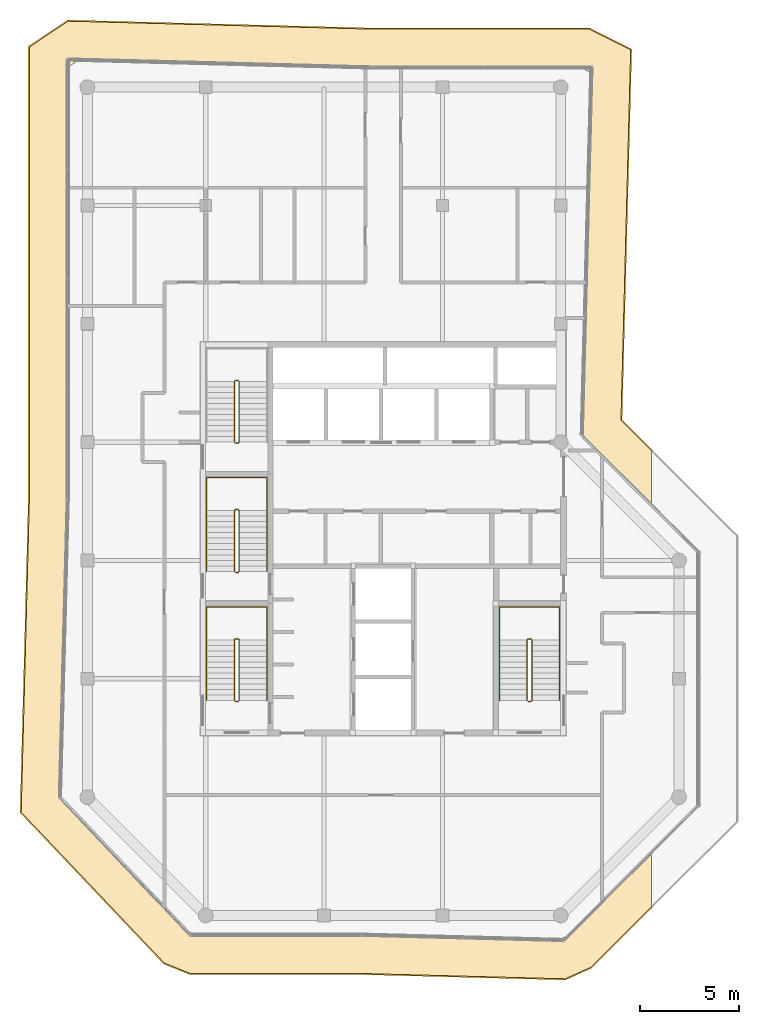
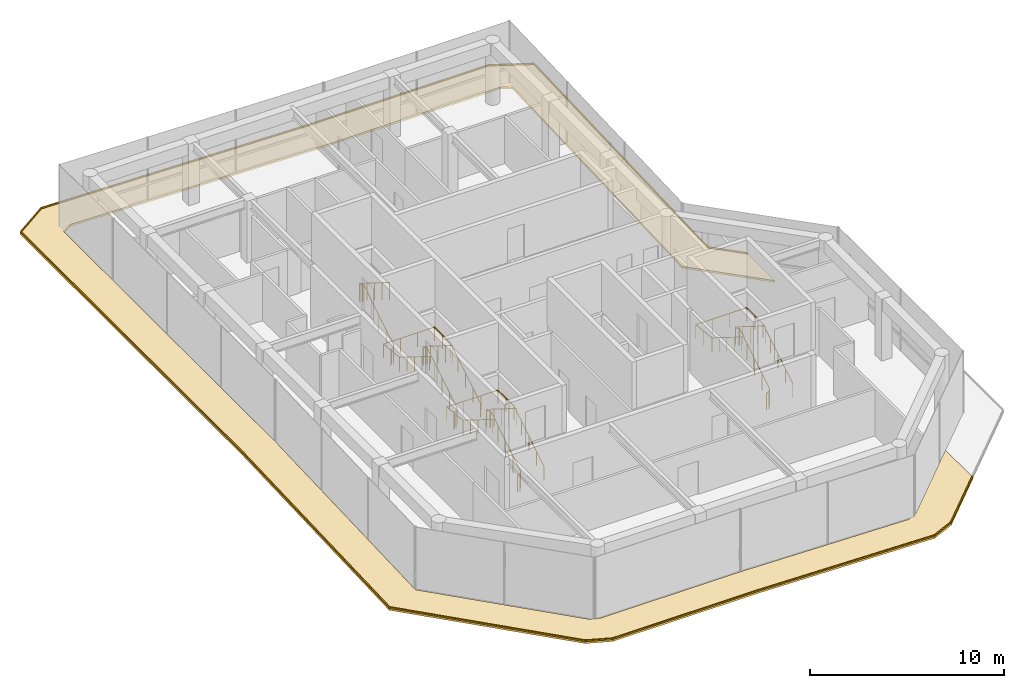
# One storey, part 14 of 15: 7 railings, 2 coverings.
"""IFC4 building model written with IfcOpenShell, lengths in metres."""

from ifc_helpers import new_model, si_unit, direction, frame, origin, origin_2d, place, context, subcontext, project, spatial, polyline, circle, outline, extrude, material, layer, layer_set, type_object, element, save


model = new_model("IFC4")

# Units and contexts
model_context = context("Model", 3, precision=1e-05, world=origin(), true_north=direction((0.0, 1.0)))
body_context = subcontext(model_context, "Body", "Model", "MODEL_VIEW")
ifc_project = project(units=[si_unit("LENGTHUNIT", "METRE"), si_unit("AREAUNIT", "SQUARE_METRE"), si_unit("VOLUMEUNIT", "CUBIC_METRE"), si_unit("PLANEANGLEUNIT", "RADIAN"), si_unit("MASSUNIT", "GRAM", prefix="KILO")], contexts=[model_context])

# Site, building, storey
site_placement = place(None, origin())
site = spatial("IfcSite", under=ifc_project, at=site_placement, CompositionType="ELEMENT")
building_placement = place(site_placement, origin())
building = spatial("IfcBuilding", under=site, at=building_placement, Name="Welwitschia Terrace Campus", CompositionType="ELEMENT")
storey_placement = place(building_placement, frame((0.0, 0.0, 339.800048828125)))
storey = spatial("IfcBuildingStorey", under=building, at=storey_placement, Name="L76", CompositionType="ELEMENT", Elevation=339.800048828125)

# Railings
ifc_material_1 = material(Name="Steel S355", Category="steel")
railing_type_1 = type_object("IfcRailingType", Name="Stair guard 1100", PredefinedType="GUARDRAIL", material=ifc_material_1)
railing_1_placement = place(storey_placement, frame((7.5, 6.85009765625, 0.0)))
element("IfcRailing", 1, at=railing_1_placement, inside=storey, type_object=railing_type_1, Name="L76 S1 stair guard", PredefinedType="GUARDRAIL", context=body_context, shape_type="SweptSolid", body=[
    extrude(circle(Radius=0.02392578125, at=origin_2d()), frame((0.0, 0.0, 1.076171875), z_axis=(1.0, 0.0, 0.0), x_axis=(0.0, 1.0, 0.0)), (0.0, 0.0, 1.0), 0.14990234375),
    extrude(circle(Radius=0.02392578125, at=origin_2d()), frame((0.14990234375, 0.0, 1.076171875), z_axis=(0.265155923931, 0.263862480399, 0.927399011991), x_axis=(-0.705375805398, 0.708833529934, 0.0)), (0.0, 0.0, 1.0), 0.188720703125),
    extrude(circle(Radius=0.02392578125, at=origin_2d()), frame((0.199951171875, 0.0498046875, 1.2509765625), z_axis=(0.0, 0.848028513186, 0.529950602248), x_axis=(-1.0, 0.0, 0.0)), (0.0, 0.0, 1.0), 3.632080078125),
    extrude(circle(Radius=0.02392578125, at=origin_2d()), frame((0.199951171875, 3.1298828125, 3.17578125), z_axis=(-0.707106781187, 0.707106781187, 0.0), x_axis=(-0.707106781187, -0.707106781187, 0.0)), (0.0, 0.0, 1.0), 0.07080078125),
    extrude(circle(Radius=0.02392578125, at=origin_2d()), frame((0.14990234375, 3.179931640625, 3.17578125), z_axis=(-1.0, 0.0, 0.0), x_axis=(0.0, -1.0, 0.0)), (0.0, 0.0, 1.0), 0.14990234375),
    extrude(circle(Radius=0.02392578125, at=origin_2d()), frame((0.0, 3.179931640625, 3.17578125), z_axis=(-0.265065253269, -0.265065253269, 0.927081885822), x_axis=(0.707106781187, -0.707106781187, 0.0)), (0.0, 0.0, 1.0), 0.188720703125),
    extrude(circle(Radius=0.02392578125, at=origin_2d()), frame((-0.050048828125, 3.1298828125, 3.35107421875), z_axis=(0.0, -0.847998304005, 0.529998940003), x_axis=(1.0, 0.0, 0.0)), (0.0, 0.0, 1.0), 3.632080078125),
    extrude(circle(Radius=0.02099609375, at=origin_2d()), origin(), (0.0, 0.0, 1.0), 1.052001953125),
    extrude(circle(Radius=0.02099609375, at=origin_2d()), frame((0.14990234375, 0.0, 0.0)), (0.0, 0.0, 1.0), 1.052001953125),
    extrude(circle(Radius=0.02099609375, at=origin_2d()), frame((0.199951171875, 0.0498046875, 0.175048828125)), (0.0, 0.0, 1.0), 1.052001953125),
    extrude(circle(Radius=0.02099609375, at=origin_2d()), frame((0.199951171875, 0.81982421875, 0.65625)), (0.0, 0.0, 1.0), 1.052001953125),
    extrude(circle(Radius=0.02099609375, at=origin_2d()), frame((0.199951171875, 1.58984375, 1.137451171875)), (0.0, 0.0, 1.0), 1.052001953125),
    extrude(circle(Radius=0.02099609375, at=origin_2d()), frame((0.199951171875, 2.35986328125, 1.61865234375)), (0.0, 0.0, 1.0), 1.052001953125),
    extrude(circle(Radius=0.02099609375, at=origin_2d()), frame((0.199951171875, 3.1298828125, 2.099853515625)), (0.0, 0.0, 1.0), 1.052001953125),
    extrude(circle(Radius=0.02099609375, at=origin_2d()), frame((0.14990234375, 3.179931640625, 2.099853515625)), (0.0, 0.0, 1.0), 1.052001953125),
    extrude(circle(Radius=0.02099609375, at=origin_2d()), frame((0.0, 3.179931640625, 2.099853515625)), (0.0, 0.0, 1.0), 1.052001953125),
    extrude(circle(Radius=0.02099609375, at=origin_2d()), frame((-0.050048828125, 3.1298828125, 2.27490234375)), (0.0, 0.0, 1.0), 1.052001953125),
    extrude(circle(Radius=0.02099609375, at=origin_2d()), frame((-0.050048828125, 2.35986328125, 2.756103515625)), (0.0, 0.0, 1.0), 1.052001953125),
    extrude(circle(Radius=0.02099609375, at=origin_2d()), frame((-0.050048828125, 1.58984375, 3.2373046875)), (0.0, 0.0, 1.0), 1.052001953125),
    extrude(circle(Radius=0.02099609375, at=origin_2d()), frame((-0.050048828125, 0.81982421875, 3.71875)), (0.0, 0.0, 1.0), 1.052001953125),
    extrude(circle(Radius=0.02099609375, at=origin_2d()), frame((-0.050048828125, 0.0498046875, 4.199951171875)), (0.0, 0.0, 1.0), 1.052001953125),
])
railing_2_placement = place(storey_placement, frame((7.5, 13.39990234375, 0.0)))
element("IfcRailing", 2, at=railing_2_placement, inside=storey, type_object=railing_type_1, Name="L76 S3 stair guard", PredefinedType="GUARDRAIL", context=body_context, shape_type="SweptSolid", body=[
    extrude(circle(Radius=0.02392578125, at=origin_2d()), frame((0.0, 0.0, 1.076171875), z_axis=(1.0, 0.0, 0.0), x_axis=(0.0, 1.0, 0.0)), (0.0, 0.0, 1.0), 0.14990234375),
    extrude(circle(Radius=0.02392578125, at=origin_2d()), frame((0.14990234375, 0.0, 1.076171875), z_axis=(0.265065253269, 0.265065253269, 0.927081885822), x_axis=(-0.707106781187, 0.707106781187, 0.0)), (0.0, 0.0, 1.0), 0.188720703125),
    extrude(circle(Radius=0.02392578125, at=origin_2d()), frame((0.199951171875, 0.050048828125, 1.2509765625), z_axis=(0.0, 0.848028513186, 0.529950602248), x_axis=(-1.0, 0.0, 0.0)), (0.0, 0.0, 1.0), 3.632080078125),
    extrude(circle(Radius=0.02392578125, at=origin_2d()), frame((0.199951171875, 3.130126953125, 3.17578125), z_axis=(-0.707106781187, 0.707106781187, 0.0), x_axis=(-0.707106781187, -0.707106781187, 0.0)), (0.0, 0.0, 1.0), 0.07080078125),
    extrude(circle(Radius=0.02392578125, at=origin_2d()), frame((0.14990234375, 3.18017578125, 3.17578125), z_axis=(-1.0, 0.0, 0.0), x_axis=(0.0, -1.0, 0.0)), (0.0, 0.0, 1.0), 0.14990234375),
    extrude(circle(Radius=0.02392578125, at=origin_2d()), frame((0.0, 3.18017578125, 3.17578125), z_axis=(-0.265065253269, -0.265065253269, 0.927081885822), x_axis=(0.707106781187, -0.707106781187, 0.0)), (0.0, 0.0, 1.0), 0.188720703125),
    extrude(circle(Radius=0.02392578125, at=origin_2d()), frame((-0.050048828125, 3.130126953125, 3.35107421875), z_axis=(0.0, -0.847998304005, 0.529998940003), x_axis=(1.0, 0.0, 0.0)), (0.0, 0.0, 1.0), 3.632080078125),
    extrude(circle(Radius=0.02099609375, at=origin_2d()), origin(), (0.0, 0.0, 1.0), 1.052001953125),
    extrude(circle(Radius=0.02099609375, at=origin_2d()), frame((0.14990234375, 0.0, 0.0)), (0.0, 0.0, 1.0), 1.052001953125),
    extrude(circle(Radius=0.02099609375, at=origin_2d()), frame((0.199951171875, 0.050048828125, 0.175048828125)), (0.0, 0.0, 1.0), 1.052001953125),
    extrude(circle(Radius=0.02099609375, at=origin_2d()), frame((0.199951171875, 0.820068359375, 0.65625)), (0.0, 0.0, 1.0), 1.052001953125),
    extrude(circle(Radius=0.02099609375, at=origin_2d()), frame((0.199951171875, 1.590087890625, 1.137451171875)), (0.0, 0.0, 1.0), 1.052001953125),
    extrude(circle(Radius=0.02099609375, at=origin_2d()), frame((0.199951171875, 2.360107421875, 1.61865234375)), (0.0, 0.0, 1.0), 1.052001953125),
    extrude(circle(Radius=0.02099609375, at=origin_2d()), frame((0.199951171875, 3.130126953125, 2.099853515625)), (0.0, 0.0, 1.0), 1.052001953125),
    extrude(circle(Radius=0.02099609375, at=origin_2d()), frame((0.14990234375, 3.18017578125, 2.099853515625)), (0.0, 0.0, 1.0), 1.052001953125),
    extrude(circle(Radius=0.02099609375, at=origin_2d()), frame((0.0, 3.18017578125, 2.099853515625)), (0.0, 0.0, 1.0), 1.052001953125),
    extrude(circle(Radius=0.02099609375, at=origin_2d()), frame((-0.050048828125, 3.130126953125, 2.27490234375)), (0.0, 0.0, 1.0), 1.052001953125),
    extrude(circle(Radius=0.02099609375, at=origin_2d()), frame((-0.050048828125, 2.360107421875, 2.756103515625)), (0.0, 0.0, 1.0), 1.052001953125),
    extrude(circle(Radius=0.02099609375, at=origin_2d()), frame((-0.050048828125, 1.590087890625, 3.2373046875)), (0.0, 0.0, 1.0), 1.052001953125),
    extrude(circle(Radius=0.02099609375, at=origin_2d()), frame((-0.050048828125, 0.820068359375, 3.71875)), (0.0, 0.0, 1.0), 1.052001953125),
    extrude(circle(Radius=0.02099609375, at=origin_2d()), frame((-0.050048828125, 0.050048828125, 4.199951171875)), (0.0, 0.0, 1.0), 1.052001953125),
])
railing_3_placement = place(storey_placement, frame((7.5, 19.949951171875, 0.0)))
element("IfcRailing", 3, at=railing_3_placement, inside=storey, type_object=railing_type_1, Name="L76 S4 stair guard", PredefinedType="GUARDRAIL", context=body_context, shape_type="SweptSolid", body=[
    extrude(circle(Radius=0.02392578125, at=origin_2d()), frame((0.0, 0.0, 1.076171875), z_axis=(1.0, 0.0, 0.0), x_axis=(0.0, 1.0, 0.0)), (0.0, 0.0, 1.0), 0.14990234375),
    extrude(circle(Radius=0.02392578125, at=origin_2d()), frame((0.14990234375, 0.0, 1.076171875), z_axis=(0.265065253269, 0.265065253269, 0.927081885822), x_axis=(-0.707106781187, 0.707106781187, 0.0)), (0.0, 0.0, 1.0), 0.188720703125),
    extrude(circle(Radius=0.02392578125, at=origin_2d()), frame((0.199951171875, 0.050048828125, 1.2509765625), z_axis=(0.0, 0.848028513186, 0.529950602248), x_axis=(-1.0, 0.0, 0.0)), (0.0, 0.0, 1.0), 3.632080078125),
    extrude(circle(Radius=0.02392578125, at=origin_2d()), frame((0.199951171875, 3.130126953125, 3.17578125), z_axis=(-0.708833529934, 0.705375805398, 0.0), x_axis=(-0.705375805398, -0.708833529934, 0.0)), (0.0, 0.0, 1.0), 0.070556640625),
    extrude(circle(Radius=0.02392578125, at=origin_2d()), frame((0.14990234375, 3.179931640625, 3.17578125), z_axis=(-1.0, 0.0, 0.0), x_axis=(0.0, -1.0, 0.0)), (0.0, 0.0, 1.0), 0.14990234375),
    extrude(circle(Radius=0.02392578125, at=origin_2d()), frame((0.0, 3.179931640625, 3.17578125), z_axis=(-0.265155923931, -0.263862480399, 0.927399011991), x_axis=(0.705375805398, -0.708833529934, 0.0)), (0.0, 0.0, 1.0), 0.188720703125),
    extrude(circle(Radius=0.02392578125, at=origin_2d()), frame((-0.050048828125, 3.130126953125, 3.35107421875), z_axis=(0.0, -0.847998304005, 0.529998940003), x_axis=(1.0, 0.0, 0.0)), (0.0, 0.0, 1.0), 3.632080078125),
    extrude(circle(Radius=0.02099609375, at=origin_2d()), origin(), (0.0, 0.0, 1.0), 1.052001953125),
    extrude(circle(Radius=0.02099609375, at=origin_2d()), frame((0.14990234375, 0.0, 0.0)), (0.0, 0.0, 1.0), 1.052001953125),
    extrude(circle(Radius=0.02099609375, at=origin_2d()), frame((0.199951171875, 0.050048828125, 0.175048828125)), (0.0, 0.0, 1.0), 1.052001953125),
    extrude(circle(Radius=0.02099609375, at=origin_2d()), frame((0.199951171875, 0.820068359375, 0.65625)), (0.0, 0.0, 1.0), 1.052001953125),
    extrude(circle(Radius=0.02099609375, at=origin_2d()), frame((0.199951171875, 1.590087890625, 1.137451171875)), (0.0, 0.0, 1.0), 1.052001953125),
    extrude(circle(Radius=0.02099609375, at=origin_2d()), frame((0.199951171875, 2.360107421875, 1.61865234375)), (0.0, 0.0, 1.0), 1.052001953125),
    extrude(circle(Radius=0.02099609375, at=origin_2d()), frame((0.199951171875, 3.130126953125, 2.099853515625)), (0.0, 0.0, 1.0), 1.052001953125),
    extrude(circle(Radius=0.02099609375, at=origin_2d()), frame((0.14990234375, 3.179931640625, 2.099853515625)), (0.0, 0.0, 1.0), 1.052001953125),
    extrude(circle(Radius=0.02099609375, at=origin_2d()), frame((0.0, 3.179931640625, 2.099853515625)), (0.0, 0.0, 1.0), 1.052001953125),
    extrude(circle(Radius=0.02099609375, at=origin_2d()), frame((-0.050048828125, 3.130126953125, 2.27490234375)), (0.0, 0.0, 1.0), 1.052001953125),
    extrude(circle(Radius=0.02099609375, at=origin_2d()), frame((-0.050048828125, 2.360107421875, 2.756103515625)), (0.0, 0.0, 1.0), 1.052001953125),
    extrude(circle(Radius=0.02099609375, at=origin_2d()), frame((-0.050048828125, 1.590087890625, 3.2373046875)), (0.0, 0.0, 1.0), 1.052001953125),
    extrude(circle(Radius=0.02099609375, at=origin_2d()), frame((-0.050048828125, 0.820068359375, 3.71875)), (0.0, 0.0, 1.0), 1.052001953125),
    extrude(circle(Radius=0.02099609375, at=origin_2d()), frame((-0.050048828125, 0.050048828125, 4.199951171875)), (0.0, 0.0, 1.0), 1.052001953125),
])
railing_4_placement = place(storey_placement, frame((22.35009765625, 6.85009765625, 0.0)))
element("IfcRailing", 4, at=railing_4_placement, inside=storey, type_object=railing_type_1, Name="L76 S2 stair guard", PredefinedType="GUARDRAIL", context=body_context, shape_type="SweptSolid", body=[
    extrude(circle(Radius=0.02392578125, at=origin_2d()), frame((0.0, 0.0, 1.076171875), z_axis=(1.0, 0.0, 0.0), x_axis=(0.0, 1.0, 0.0)), (0.0, 0.0, 1.0), 0.14990234375),
    extrude(circle(Radius=0.02392578125, at=origin_2d()), frame((0.14990234375, 0.0, 1.076171875), z_axis=(0.265155923931, 0.263862480399, 0.927399011991), x_axis=(-0.705375805398, 0.708833529934, 0.0)), (0.0, 0.0, 1.0), 0.188720703125),
    extrude(circle(Radius=0.02392578125, at=origin_2d()), frame((0.199951171875, 0.0498046875, 1.2509765625), z_axis=(0.0, 0.848028513186, 0.529950602248), x_axis=(-1.0, 0.0, 0.0)), (0.0, 0.0, 1.0), 3.632080078125),
    extrude(circle(Radius=0.02392578125, at=origin_2d()), frame((0.199951171875, 3.1298828125, 3.17578125), z_axis=(-0.707106781187, 0.707106781187, 0.0), x_axis=(-0.707106781187, -0.707106781187, 0.0)), (0.0, 0.0, 1.0), 0.07080078125),
    extrude(circle(Radius=0.02392578125, at=origin_2d()), frame((0.14990234375, 3.179931640625, 3.17578125), z_axis=(-1.0, 0.0, 0.0), x_axis=(0.0, -1.0, 0.0)), (0.0, 0.0, 1.0), 0.14990234375),
    extrude(circle(Radius=0.02392578125, at=origin_2d()), frame((0.0, 3.179931640625, 3.17578125), z_axis=(-0.265065253269, -0.265065253269, 0.927081885822), x_axis=(0.707106781187, -0.707106781187, 0.0)), (0.0, 0.0, 1.0), 0.188720703125),
    extrude(circle(Radius=0.02392578125, at=origin_2d()), frame((-0.050048828125, 3.1298828125, 3.35107421875), z_axis=(0.0, -0.847998304005, 0.529998940003), x_axis=(1.0, 0.0, 0.0)), (0.0, 0.0, 1.0), 3.632080078125),
    extrude(circle(Radius=0.02099609375, at=origin_2d()), origin(), (0.0, 0.0, 1.0), 1.052001953125),
    extrude(circle(Radius=0.02099609375, at=origin_2d()), frame((0.14990234375, 0.0, 0.0)), (0.0, 0.0, 1.0), 1.052001953125),
    extrude(circle(Radius=0.02099609375, at=origin_2d()), frame((0.199951171875, 0.0498046875, 0.175048828125)), (0.0, 0.0, 1.0), 1.052001953125),
    extrude(circle(Radius=0.02099609375, at=origin_2d()), frame((0.199951171875, 0.81982421875, 0.65625)), (0.0, 0.0, 1.0), 1.052001953125),
    extrude(circle(Radius=0.02099609375, at=origin_2d()), frame((0.199951171875, 1.58984375, 1.137451171875)), (0.0, 0.0, 1.0), 1.052001953125),
    extrude(circle(Radius=0.02099609375, at=origin_2d()), frame((0.199951171875, 2.35986328125, 1.61865234375)), (0.0, 0.0, 1.0), 1.052001953125),
    extrude(circle(Radius=0.02099609375, at=origin_2d()), frame((0.199951171875, 3.1298828125, 2.099853515625)), (0.0, 0.0, 1.0), 1.052001953125),
    extrude(circle(Radius=0.02099609375, at=origin_2d()), frame((0.14990234375, 3.179931640625, 2.099853515625)), (0.0, 0.0, 1.0), 1.052001953125),
    extrude(circle(Radius=0.02099609375, at=origin_2d()), frame((0.0, 3.179931640625, 2.099853515625)), (0.0, 0.0, 1.0), 1.052001953125),
    extrude(circle(Radius=0.02099609375, at=origin_2d()), frame((-0.050048828125, 3.1298828125, 2.27490234375)), (0.0, 0.0, 1.0), 1.052001953125),
    extrude(circle(Radius=0.02099609375, at=origin_2d()), frame((-0.050048828125, 2.35986328125, 2.756103515625)), (0.0, 0.0, 1.0), 1.052001953125),
    extrude(circle(Radius=0.02099609375, at=origin_2d()), frame((-0.050048828125, 1.58984375, 3.2373046875)), (0.0, 0.0, 1.0), 1.052001953125),
    extrude(circle(Radius=0.02099609375, at=origin_2d()), frame((-0.050048828125, 0.81982421875, 3.71875)), (0.0, 0.0, 1.0), 1.052001953125),
    extrude(circle(Radius=0.02099609375, at=origin_2d()), frame((-0.050048828125, 0.0498046875, 4.199951171875)), (0.0, 0.0, 1.0), 1.052001953125),
])
ifc_material_2 = material(Name="Steel S355", Category="steel")
railing_type_2 = type_object("IfcRailingType", Name="Stair handrail 900", PredefinedType="HANDRAIL", material=ifc_material_2)
railing_5_placement = place(storey_placement, frame((9.10009765625, 6.89990234375, 0.175048828125)))
element("IfcRailing", 5, at=railing_5_placement, inside=storey, type_object=railing_type_2, Name="L76 S1 stair handrail", PredefinedType="HANDRAIL", context=body_context, shape_type="SweptSolid", body=[
    extrude(circle(Radius=0.02392578125, at=origin_2d()), frame((0.0, 0.0, 0.8759765625), z_axis=(0.0, 0.848028513186, 0.529950602248), x_axis=(-1.0, 0.0, 0.0)), (0.0, 0.0, 1.0), 3.632080078125),
    extrude(circle(Radius=0.02392578125, at=origin_2d()), frame((0.0, 3.080078125, 2.80078125), z_axis=(0.0, 1.0, 0.0), x_axis=(-1.0, 0.0, 0.0)), (0.0, 0.0, 1.0), 1.669921875),
    extrude(circle(Radius=0.02392578125, at=origin_2d()), frame((0.0, 4.75, 2.80078125), z_axis=(-1.0, 0.0, 0.0), x_axis=(0.0, -1.0, 0.0)), (0.0, 0.0, 1.0), 3.050048828125),
    extrude(circle(Radius=0.02392578125, at=origin_2d()), frame((-3.050048828125, 4.75, 2.80078125), z_axis=(0.0, -0.99455077262, 0.104253348533), x_axis=(1.0, 0.0, 0.0)), (0.0, 0.0, 1.0), 1.678955078125),
    extrude(circle(Radius=0.02392578125, at=origin_2d()), frame((-3.050048828125, 3.080078125, 2.9755859375), z_axis=(0.0, -0.847998304005, 0.529998940003), x_axis=(1.0, 0.0, 0.0)), (0.0, 0.0, 1.0), 3.632080078125),
    extrude(circle(Radius=0.02099609375, at=origin_2d()), origin(), (0.0, 0.0, 1.0), 0.851806640625),
    extrude(circle(Radius=0.02099609375, at=origin_2d()), frame((0.0, 0.77001953125, 0.481201171875)), (0.0, 0.0, 1.0), 0.851806640625),
    extrude(circle(Radius=0.02099609375, at=origin_2d()), frame((0.0, 1.5400390625, 0.96240234375)), (0.0, 0.0, 1.0), 0.851806640625),
    extrude(circle(Radius=0.02099609375, at=origin_2d()), frame((0.0, 2.31005859375, 1.443603515625)), (0.0, 0.0, 1.0), 0.851806640625),
    extrude(circle(Radius=0.02099609375, at=origin_2d()), frame((0.0, 3.080078125, 1.9248046875)), (0.0, 0.0, 1.0), 0.851806640625),
    extrude(circle(Radius=0.02099609375, at=origin_2d()), frame((0.0, 3.9150390625, 1.9248046875)), (0.0, 0.0, 1.0), 0.851806640625),
    extrude(circle(Radius=0.02099609375, at=origin_2d()), frame((0.0, 4.75, 1.9248046875)), (0.0, 0.0, 1.0), 0.851806640625),
    extrude(circle(Radius=0.02099609375, at=origin_2d()), frame((-1.0166015625, 4.75, 1.9248046875)), (0.0, 0.0, 1.0), 0.851806640625),
    extrude(circle(Radius=0.02099609375, at=origin_2d()), frame((-2.033447265625, 4.75, 1.9248046875)), (0.0, 0.0, 1.0), 0.851806640625),
    extrude(circle(Radius=0.02099609375, at=origin_2d()), frame((-3.050048828125, 4.75, 1.9248046875)), (0.0, 0.0, 1.0), 0.851806640625),
    extrude(circle(Radius=0.02099609375, at=origin_2d()), frame((-3.050048828125, 3.9150390625, 2.01220703125)), (0.0, 0.0, 1.0), 0.851806640625),
    extrude(circle(Radius=0.02099609375, at=origin_2d()), frame((-3.050048828125, 3.080078125, 2.099853515625)), (0.0, 0.0, 1.0), 0.851806640625),
    extrude(circle(Radius=0.02099609375, at=origin_2d()), frame((-3.050048828125, 2.31005859375, 2.5810546875)), (0.0, 0.0, 1.0), 0.851806640625),
    extrude(circle(Radius=0.02099609375, at=origin_2d()), frame((-3.050048828125, 1.5400390625, 3.0625)), (0.0, 0.0, 1.0), 0.851806640625),
    extrude(circle(Radius=0.02099609375, at=origin_2d()), frame((-3.050048828125, 0.77001953125, 3.543701171875)), (0.0, 0.0, 1.0), 0.851806640625),
    extrude(circle(Radius=0.02099609375, at=origin_2d()), frame((-3.050048828125, 0.0, 4.02490234375)), (0.0, 0.0, 1.0), 0.851806640625),
])
railing_6_placement = place(storey_placement, frame((9.10009765625, 13.449951171875, 0.175048828125)))
element("IfcRailing", 6, at=railing_6_placement, inside=storey, type_object=railing_type_2, Name="L76 S3 stair handrail", PredefinedType="HANDRAIL", context=body_context, shape_type="SweptSolid", body=[
    extrude(circle(Radius=0.02392578125, at=origin_2d()), frame((0.0, 0.0, 0.8759765625), z_axis=(0.0, 0.848028513186, 0.529950602248), x_axis=(-1.0, 0.0, 0.0)), (0.0, 0.0, 1.0), 3.632080078125),
    extrude(circle(Radius=0.02392578125, at=origin_2d()), frame((0.0, 3.080078125, 2.80078125), z_axis=(0.0, 1.0, 0.0), x_axis=(-1.0, 0.0, 0.0)), (0.0, 0.0, 1.0), 1.669921875),
    extrude(circle(Radius=0.02392578125, at=origin_2d()), frame((0.0, 4.75, 2.80078125), z_axis=(-1.0, 0.0, 0.0), x_axis=(0.0, -1.0, 0.0)), (0.0, 0.0, 1.0), 3.050048828125),
    extrude(circle(Radius=0.02392578125, at=origin_2d()), frame((-3.050048828125, 4.75, 2.80078125), z_axis=(0.0, -0.99455077262, 0.104253348533), x_axis=(1.0, 0.0, 0.0)), (0.0, 0.0, 1.0), 1.678955078125),
    extrude(circle(Radius=0.02392578125, at=origin_2d()), frame((-3.050048828125, 3.080078125, 2.9755859375), z_axis=(0.0, -0.847998304005, 0.529998940003), x_axis=(1.0, 0.0, 0.0)), (0.0, 0.0, 1.0), 3.632080078125),
    extrude(circle(Radius=0.02099609375, at=origin_2d()), origin(), (0.0, 0.0, 1.0), 0.851806640625),
    extrude(circle(Radius=0.02099609375, at=origin_2d()), frame((0.0, 0.77001953125, 0.481201171875)), (0.0, 0.0, 1.0), 0.851806640625),
    extrude(circle(Radius=0.02099609375, at=origin_2d()), frame((0.0, 1.5400390625, 0.96240234375)), (0.0, 0.0, 1.0), 0.851806640625),
    extrude(circle(Radius=0.02099609375, at=origin_2d()), frame((0.0, 2.31005859375, 1.443603515625)), (0.0, 0.0, 1.0), 0.851806640625),
    extrude(circle(Radius=0.02099609375, at=origin_2d()), frame((0.0, 3.080078125, 1.9248046875)), (0.0, 0.0, 1.0), 0.851806640625),
    extrude(circle(Radius=0.02099609375, at=origin_2d()), frame((0.0, 3.9150390625, 1.9248046875)), (0.0, 0.0, 1.0), 0.851806640625),
    extrude(circle(Radius=0.02099609375, at=origin_2d()), frame((0.0, 4.75, 1.9248046875)), (0.0, 0.0, 1.0), 0.851806640625),
    extrude(circle(Radius=0.02099609375, at=origin_2d()), frame((-1.0166015625, 4.75, 1.9248046875)), (0.0, 0.0, 1.0), 0.851806640625),
    extrude(circle(Radius=0.02099609375, at=origin_2d()), frame((-2.033447265625, 4.75, 1.9248046875)), (0.0, 0.0, 1.0), 0.851806640625),
    extrude(circle(Radius=0.02099609375, at=origin_2d()), frame((-3.050048828125, 4.75, 1.9248046875)), (0.0, 0.0, 1.0), 0.851806640625),
    extrude(circle(Radius=0.02099609375, at=origin_2d()), frame((-3.050048828125, 3.9150390625, 2.01220703125)), (0.0, 0.0, 1.0), 0.851806640625),
    extrude(circle(Radius=0.02099609375, at=origin_2d()), frame((-3.050048828125, 3.080078125, 2.099853515625)), (0.0, 0.0, 1.0), 0.851806640625),
    extrude(circle(Radius=0.02099609375, at=origin_2d()), frame((-3.050048828125, 2.31005859375, 2.5810546875)), (0.0, 0.0, 1.0), 0.851806640625),
    extrude(circle(Radius=0.02099609375, at=origin_2d()), frame((-3.050048828125, 1.5400390625, 3.0625)), (0.0, 0.0, 1.0), 0.851806640625),
    extrude(circle(Radius=0.02099609375, at=origin_2d()), frame((-3.050048828125, 0.77001953125, 3.543701171875)), (0.0, 0.0, 1.0), 0.851806640625),
    extrude(circle(Radius=0.02099609375, at=origin_2d()), frame((-3.050048828125, 0.0, 4.02490234375)), (0.0, 0.0, 1.0), 0.851806640625),
])
railing_7_placement = place(storey_placement, frame((23.949951171875, 6.89990234375, 0.175048828125)))
element("IfcRailing", 7, at=railing_7_placement, inside=storey, type_object=railing_type_2, Name="L76 S2 stair handrail", PredefinedType="HANDRAIL", context=body_context, shape_type="SweptSolid", body=[
    extrude(circle(Radius=0.02392578125, at=origin_2d()), frame((0.0, 0.0, 0.8759765625), z_axis=(0.0, 0.848028513186, 0.529950602248), x_axis=(-1.0, 0.0, 0.0)), (0.0, 0.0, 1.0), 3.632080078125),
    extrude(circle(Radius=0.02392578125, at=origin_2d()), frame((0.0, 3.080078125, 2.80078125), z_axis=(0.0, 1.0, 0.0), x_axis=(-1.0, 0.0, 0.0)), (0.0, 0.0, 1.0), 1.669921875),
    extrude(circle(Radius=0.02392578125, at=origin_2d()), frame((0.0, 4.75, 2.80078125), z_axis=(-1.0, 0.0, 0.0), x_axis=(0.0, -1.0, 0.0)), (0.0, 0.0, 1.0), 3.050048828125),
    extrude(circle(Radius=0.02392578125, at=origin_2d()), frame((-3.050048828125, 4.75, 2.80078125), z_axis=(0.0, -0.99455077262, 0.104253348533), x_axis=(1.0, 0.0, 0.0)), (0.0, 0.0, 1.0), 1.678955078125),
    extrude(circle(Radius=0.02392578125, at=origin_2d()), frame((-3.050048828125, 3.080078125, 2.9755859375), z_axis=(0.0, -0.847998304005, 0.529998940003), x_axis=(1.0, 0.0, 0.0)), (0.0, 0.0, 1.0), 3.632080078125),
    extrude(circle(Radius=0.02099609375, at=origin_2d()), origin(), (0.0, 0.0, 1.0), 0.851806640625),
    extrude(circle(Radius=0.02099609375, at=origin_2d()), frame((0.0, 0.77001953125, 0.481201171875)), (0.0, 0.0, 1.0), 0.851806640625),
    extrude(circle(Radius=0.02099609375, at=origin_2d()), frame((0.0, 1.5400390625, 0.96240234375)), (0.0, 0.0, 1.0), 0.851806640625),
    extrude(circle(Radius=0.02099609375, at=origin_2d()), frame((0.0, 2.31005859375, 1.443603515625)), (0.0, 0.0, 1.0), 0.851806640625),
    extrude(circle(Radius=0.02099609375, at=origin_2d()), frame((0.0, 3.080078125, 1.9248046875)), (0.0, 0.0, 1.0), 0.851806640625),
    extrude(circle(Radius=0.02099609375, at=origin_2d()), frame((0.0, 3.9150390625, 1.9248046875)), (0.0, 0.0, 1.0), 0.851806640625),
    extrude(circle(Radius=0.02099609375, at=origin_2d()), frame((0.0, 4.75, 1.9248046875)), (0.0, 0.0, 1.0), 0.851806640625),
    extrude(circle(Radius=0.02099609375, at=origin_2d()), frame((-1.0166015625, 4.75, 1.9248046875)), (0.0, 0.0, 1.0), 0.851806640625),
    extrude(circle(Radius=0.02099609375, at=origin_2d()), frame((-2.033447265625, 4.75, 1.9248046875)), (0.0, 0.0, 1.0), 0.851806640625),
    extrude(circle(Radius=0.02099609375, at=origin_2d()), frame((-3.050048828125, 4.75, 1.9248046875)), (0.0, 0.0, 1.0), 0.851806640625),
    extrude(circle(Radius=0.02099609375, at=origin_2d()), frame((-3.050048828125, 3.9150390625, 2.01220703125)), (0.0, 0.0, 1.0), 0.851806640625),
    extrude(circle(Radius=0.02099609375, at=origin_2d()), frame((-3.050048828125, 3.080078125, 2.099853515625)), (0.0, 0.0, 1.0), 0.851806640625),
    extrude(circle(Radius=0.02099609375, at=origin_2d()), frame((-3.050048828125, 2.31005859375, 2.5810546875)), (0.0, 0.0, 1.0), 0.851806640625),
    extrude(circle(Radius=0.02099609375, at=origin_2d()), frame((-3.050048828125, 1.5400390625, 3.0625)), (0.0, 0.0, 1.0), 0.851806640625),
    extrude(circle(Radius=0.02099609375, at=origin_2d()), frame((-3.050048828125, 0.77001953125, 3.543701171875)), (0.0, 0.0, 1.0), 0.851806640625),
    extrude(circle(Radius=0.02099609375, at=origin_2d()), frame((-3.050048828125, 0.0, 4.02490234375)), (0.0, 0.0, 1.0), 0.851806640625),
])

# Coverings
ifc_material_3 = material(Name="Bronze anodised aluminium", Category="aluminium")
ifc_layer_1 = layer(ifc_material_3, 0.1201171875)
ifc_layer_set_1 = layer_set([ifc_layer_1], Name="Bronze anodised aluminium")
covering_type_1 = type_object("IfcCoveringType", Name="Sunshade band 2000", PredefinedType="USERDEFINED", material=ifc_layer_set_1)
covering_1_placement = place(storey_placement, frame((0.0, 0.0, -0.199951171875)))
element("IfcCovering", 8, at=covering_1_placement, inside=storey, type_object=covering_type_1, Name="SUNSHADE L76.SW0", ObjectType="SUNSHADE", PredefinedType="USERDEFINED", context=body_context, shape_type="SweptSolid", body=[
    extrude(outline(polyline([(14.515869140625, 41.0), (25.475830078125, 41.0), (27.60791015625, 39.92431640625), (27.11572265625, 21.126953125), (28.60498046875, 19.6376953125), (28.60498046875, 16.809326171875), (25.093994140625, 20.3203125), (25.575439453125, 38.709716796875), (25.0, 39.0), (14.48974609375, 39.0), (-0.415771484375, 39.390380859375), (-1.0, 39.0), (-1.0, 17.07568359375), (-1.39501953125, 1.989013671875), (5.01611328125, -4.76708984375), (5.585693359375, -5.0), (13.913818359375, -5.0), (23.837890625, -5.260009765625), (24.414306640625, -5.0), (28.60498046875, -0.809326171875), (28.60498046875, -3.6376953125), (25.56982421875, -6.6728515625), (24.2431640625, -7.271240234375), (13.887451171875, -7.0), (5.192626953125, -7.0), (3.861083984375, -6.45556640625), (-3.416015625, 1.213134765625), (-3.0, 17.101806640625), (-3.0, 40.069091796875), (-0.998291015625, 41.40625), (14.515869140625, 41.0)])), origin(), (0.0, 0.0, 1.0), 0.119873046875),
])
ifc_material_4 = material(Name="Bronze anodised aluminium", Category="aluminium")
ifc_layer_2 = layer(ifc_material_4, 0.06005859375)
ifc_layer_set_2 = layer_set([ifc_layer_2], Name="Bronze anodised aluminium")
covering_type_2 = type_object("IfcCoveringType", Name="Sunshade lip 60", PredefinedType="USERDEFINED", material=ifc_layer_set_2)
covering_2_placement = place(storey_placement, frame((0.0, 0.0, -0.080078125)))
element("IfcCovering", 9, at=covering_2_placement, inside=storey, type_object=covering_type_2, Name="SUNSHADE LIP L76.SW0.0", ObjectType="SUNSHADE", PredefinedType="USERDEFINED", context=body_context, shape_type="SweptSolid", body=[
    extrude(outline(polyline([(25.475830078125, 41.0), (27.60791015625, 39.92431640625), (27.11572265625, 21.126953125), (28.60498046875, 19.6376953125), (28.60498046875, 19.552734375), (27.054931640625, 21.102783203125), (27.546875, 39.887939453125), (25.461669921875, 40.93994140625), (14.51513671875, 40.93994140625), (-0.98095703125, 41.345703125), (-2.93994140625, 40.037109375), (-2.93994140625, 17.10107421875), (-3.35546875, 1.236328125), (3.895751953125, -6.40478515625), (5.204345703125, -6.93994140625), (13.88818359375, -6.93994140625), (24.23095703125, -7.210693359375), (25.53515625, -6.62255859375), (28.60498046875, -3.552734375), (28.60498046875, -3.6376953125), (25.56982421875, -6.6728515625), (24.2431640625, -7.271240234375), (13.887451171875, -7.0), (5.192626953125, -7.0), (3.861083984375, -6.45556640625), (-3.416015625, 1.213134765625), (-3.0, 17.101806640625), (-3.0, 40.069091796875), (-0.998291015625, 41.40625), (14.515869140625, 41.0), (25.475830078125, 41.0)])), origin(), (0.0, 0.0, 1.0), 0.080078125),
])

save(model, "model.ifc")
